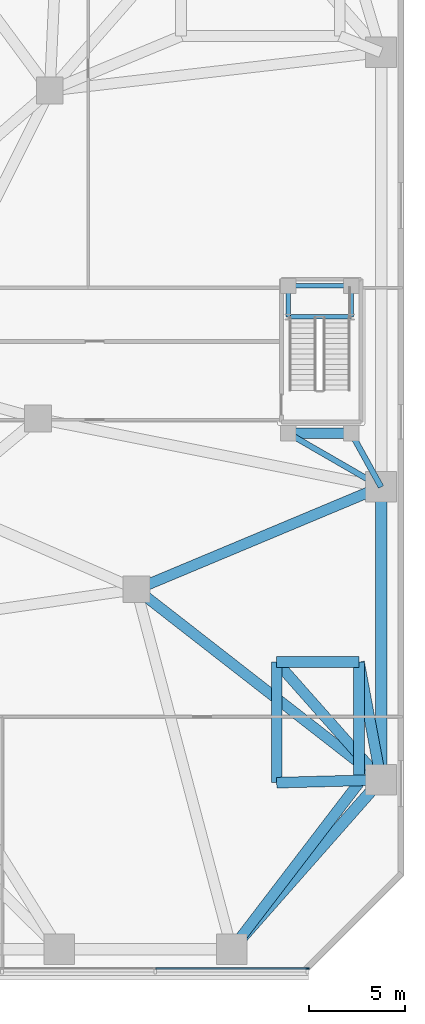
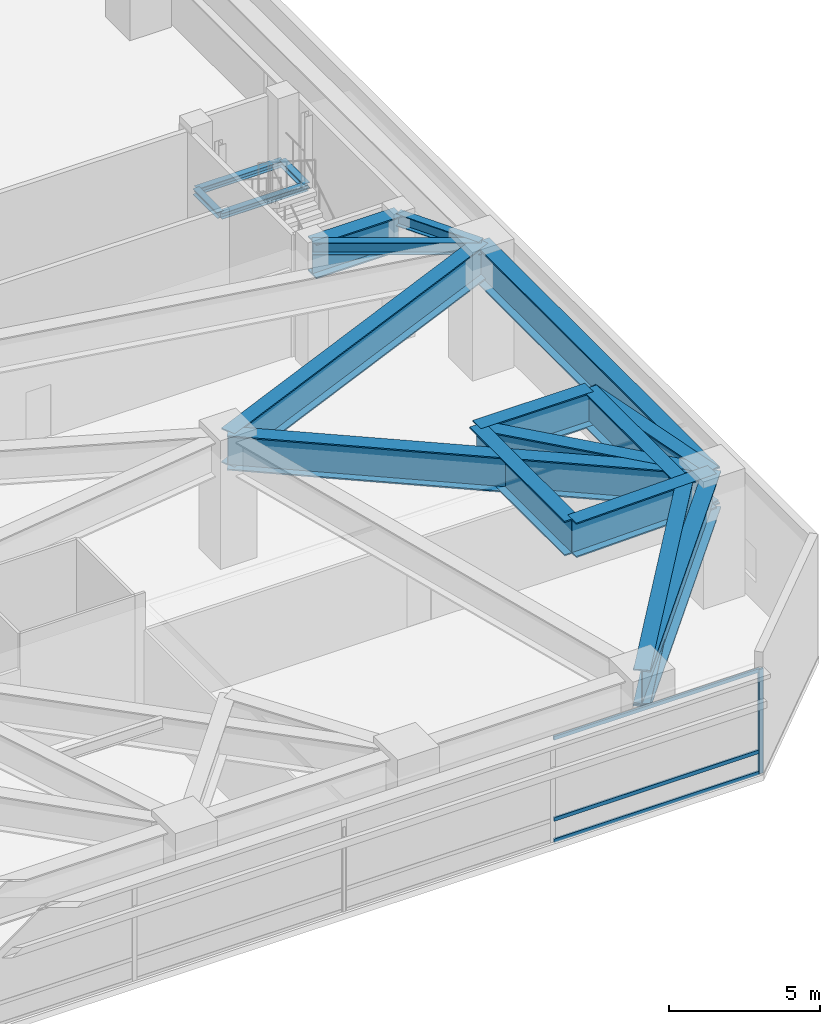
# One storey, part 12 of 27: 18 beams, 4 members, 1 element without a shape of its own.
"""IFC4 building model written with IfcOpenShell, lengths in metres."""

from ifc_helpers import new_model, si_unit, direction, frame, origin, origin_2d, place, context, subcontext, project, spatial, rectangle, i_section, extrude, material, layer, layer_set, material_profile, profile_set, type_object, element, aggregate, save


model = new_model("IFC4")

# Units and contexts
model_context = context("Model", 3, precision=1e-05, world=origin(), true_north=direction((0.0, 1.0)))
body_context = subcontext(model_context, "Body", "Model", "MODEL_VIEW")
ifc_project = project(units=[si_unit("LENGTHUNIT", "METRE"), si_unit("AREAUNIT", "SQUARE_METRE"), si_unit("VOLUMEUNIT", "CUBIC_METRE"), si_unit("PLANEANGLEUNIT", "RADIAN"), si_unit("MASSUNIT", "GRAM", prefix="KILO")], contexts=[model_context])

# Site, building, storey
site_placement = place(None, origin())
site = spatial("IfcSite", under=ifc_project, at=site_placement, CompositionType="ELEMENT")
building_placement = place(site_placement, origin())
building = spatial("IfcBuilding", under=site, at=building_placement, Name="Terralouvre Media Tower", CompositionType="ELEMENT")
storey_placement = place(building_placement, frame((0.0, 0.0, 20.800048828125)))
storey = spatial("IfcBuildingStorey", under=building, at=storey_placement, Name="L04", CompositionType="ELEMENT", Elevation=20.800048828125)

# Curtain wall, members
ifc_material_1 = material(Name="Low-iron laminated double glazing with solar-control coating", Category="glass")
ifc_layer = layer(ifc_material_1, 0.1650390625, Name="Podium Broadcast Gallery Glazing CW-01")
ifc_layer_set = layer_set([ifc_layer], Name="Low-iron laminated double glazing with solar-control coating")
curtain_wall_type = type_object("IfcCurtainWallType", Name="Podium Broadcast Gallery Glazing CW-01", PredefinedType="NOTDEFINED", material=ifc_layer_set)
curtain_wall_placement = place(storey_placement, origin())
curtain_wall = element("IfcCurtainWall", 1, at=curtain_wall_placement, inside=storey, type_object=curtain_wall_type, Name="L04 Podium Curtain Wall F0", PredefinedType="NOTDEFINED")
ifc_material_2 = material(Name="Anodised extruded aluminium 6063-T6", Category="aluminium")
ifc_material_profile_1 = material_profile(ifc_material_2, rectangle(XDim=0.074951171875, YDim=0.14990234375, at=origin_2d()), Name="ALU 75x150")
ifc_profile_set_1 = profile_set([ifc_material_profile_1], Name="Anodised extruded aluminium 6063-T6")
member_type_1 = type_object("IfcMemberType", Name="Curtain-Wall Horizontal Transom TR-150", PredefinedType="USERDEFINED", material=ifc_profile_set_1)
member_1_placement = place(storey_placement, frame((24.03759765625, -24.360107421875, 0.037353515625), z_axis=(1.0, 0.0, 0.0), x_axis=(0.0, 1.0, 0.0)))
member_1 = element("IfcMember", 2, at=member_1_placement, type_object=member_type_1, Name="CW-01 transom 8.1", ObjectType="TRANSOM", PredefinedType="USERDEFINED", context=body_context, shape_type="SweptSolid", body=[
    extrude(rectangle(XDim=0.074951171875, YDim=0.14990234375, at=origin_2d()), origin(), (0.0, 0.0, 1.0), 7.887451171875),
])
member_2_placement = place(storey_placement, frame((24.03759765625, -24.360107421875, 0.89990234375), z_axis=(1.0, 0.0, 0.0), x_axis=(0.0, 1.0, 0.0)))
member_2 = element("IfcMember", 3, at=member_2_placement, type_object=member_type_1, Name="CW-01 transom 8.2", ObjectType="TRANSOM", PredefinedType="USERDEFINED", context=body_context, shape_type="SweptSolid", body=[
    extrude(rectangle(XDim=0.074951171875, YDim=0.14990234375, at=origin_2d()), origin(), (0.0, 0.0, 1.0), 7.887451171875),
])
member_3_placement = place(storey_placement, frame((24.03759765625, -24.360107421875, 4.182373046875), z_axis=(1.0, 0.0, 0.0), x_axis=(0.0, 1.0, 0.0)))
member_3 = element("IfcMember", 4, at=member_3_placement, type_object=member_type_1, Name="CW-01 transom 8.3", ObjectType="TRANSOM", PredefinedType="USERDEFINED", context=body_context, shape_type="SweptSolid", body=[
    extrude(rectangle(XDim=0.074951171875, YDim=0.14990234375, at=origin_2d()), origin(), (0.0, 0.0, 1.0), 7.887451171875),
])
ifc_material_3 = material(Name="Anodised extruded aluminium 6063-T6", Category="aluminium")
ifc_material_profile_2 = material_profile(ifc_material_3, rectangle(XDim=0.074951171875, YDim=0.179931640625, at=origin_2d()), Name="ALU 75x180")
ifc_profile_set_2 = profile_set([ifc_material_profile_2], Name="Anodised extruded aluminium 6063-T6")
member_type_2 = type_object("IfcMemberType", Name="Curtain-Wall Vertical Mullion ML-180", PredefinedType="MULLION", material=ifc_profile_set_2)
member_4_placement = place(storey_placement, frame((31.96240234375, -24.360107421875, 0.0), z_axis=(0.0, 0.0, 1.0), x_axis=(0.0, 1.0, 0.0)))
member_4 = element("IfcMember", 5, at=member_4_placement, type_object=member_type_2, Name="CW-01 mullion 9", PredefinedType="MULLION", context=body_context, shape_type="SweptSolid", body=[
    extrude(rectangle(XDim=0.074951171875, YDim=0.179931640625, at=origin_2d()), origin(), (0.0, 0.0, 1.0), 4.219970703125),
])
aggregate(curtain_wall, [member_4, member_1, member_2, member_3])

# Beams
ifc_material_4 = material(Name="Structural steel S355J2", Category="steel")
ifc_material_profile_3 = material_profile(ifc_material_4, i_section(OverallWidth=0.239990234375, OverallDepth=0.239990234375, WebThickness=0.010009765625, FlangeThickness=0.01708984375, at=origin_2d()), Name="HEB 240")
ifc_profile_set_3 = profile_set([ifc_material_profile_3], Name="Structural steel S355J2")
beam_type_1 = type_object("IfcBeamType", Name="Opening Lintel Beam LN-240H (HEB 240)", PredefinedType="LINTEL", material=ifc_profile_set_3)
for number, where, z_axis, x_axis, name in (
    (6, (30.949951171875, 9.679931640625, 2.280029296875), (0.0, 1.0, 0.0), (-1.0, 0.0, 0.0), "L04 ST-04 Intermediate Landing Support Beam 1W"),
    (7, (34.25, 9.679931640625, 2.280029296875), (0.0, 1.0, 0.0), (-1.0, 0.0, 0.0), "L04 ST-04 Intermediate Landing Support Beam 1E"),
):
    element("IfcBeam", number, at=place(storey_placement, frame(where, z_axis=z_axis, x_axis=x_axis)), inside=storey, type_object=beam_type_1, Name=name, PredefinedType="LINTEL", context=body_context, shape_type="SweptSolid", body=[
        extrude(i_section(OverallWidth=0.239990234375, OverallDepth=0.239990234375, WebThickness=0.010009765625, FlangeThickness=0.01708984375, at=origin_2d()), origin(), (0.0, 0.0, 1.0), 1.6201171875),
    ])
for number, where, z_axis, x_axis, name in (
    (8, (30.949951171875, 9.679931640625, 2.280029296875), (1.0, 0.0, 0.0), (0.0, 1.0, 0.0), "L04 ST-04 Intermediate Landing Support Beam 1S"),
    (9, (30.949951171875, 11.300048828125, 2.280029296875), (1.0, 0.0, 0.0), (0.0, 1.0, 0.0), "L04 ST-04 Intermediate Landing Support Beam 1X"),
):
    element("IfcBeam", number, at=place(storey_placement, frame(where, z_axis=z_axis, x_axis=x_axis)), inside=storey, type_object=beam_type_1, Name=name, PredefinedType="LINTEL", context=body_context, shape_type="SweptSolid", body=[
        extrude(i_section(OverallWidth=0.239990234375, OverallDepth=0.239990234375, WebThickness=0.010009765625, FlangeThickness=0.01708984375, at=origin_2d()), origin(), (0.0, 0.0, 1.0), 3.300048828125),
    ])
ifc_material_5 = material(Name="Structural steel S355J2", Category="steel")
ifc_material_profile_4 = material_profile(ifc_material_5, i_section(OverallWidth=0.300048828125, OverallDepth=0.5, WebThickness=0.014404296875, FlangeThickness=0.028076171875, at=origin_2d()), Name="HEB 500")
ifc_profile_set_4 = profile_set([ifc_material_profile_4], Name="Structural steel S355J2")
beam_type_2 = type_object("IfcBeamType", Name="Primary Floor Girder B-HEB500 (HEB 500)", PredefinedType="BEAM", material=ifc_profile_set_4)
beam_1_placement = place(storey_placement, frame((30.949951171875, 3.60009765625, 4.68994140625), z_axis=(0.866037493094, -0.499979060117, 0.0), x_axis=(0.499979060117, 0.866037493094, 0.0)))
element("IfcBeam", 10, at=beam_1_placement, inside=storey, type_object=beam_type_2, Name="L04 Framing Beam BM-L04-PVTST41", PredefinedType="BEAM", context=body_context, shape_type="SweptSolid", body=[
    extrude(i_section(OverallWidth=0.300048828125, OverallDepth=0.5, WebThickness=0.014404296875, FlangeThickness=0.028076171875, at=origin_2d()), origin(), (0.0, 0.0, 1.0), 5.600341796875),
])
beam_2_placement = place(storey_placement, frame((34.25, 3.60009765625, 4.68994140625), z_axis=(0.484321096397, -0.874890322032, 0.0), x_axis=(0.874890322032, 0.484321096397, 0.0)))
element("IfcBeam", 11, at=beam_2_placement, inside=storey, type_object=beam_type_2, Name="L04 Framing Beam BM-L04-PVTST42", PredefinedType="BEAM", context=body_context, shape_type="SweptSolid", body=[
    extrude(i_section(OverallWidth=0.300048828125, OverallDepth=0.5, WebThickness=0.014404296875, FlangeThickness=0.028076171875, at=origin_2d()), origin(), (0.0, 0.0, 1.0), 3.200439453125),
])
ifc_material_6 = material(Name="Structural steel S460M", Category="steel")
ifc_material_profile_5 = material_profile(ifc_material_6, i_section(OverallWidth=0.56005859375, OverallDepth=1.39990234375, WebThickness=0.031982421875, FlangeThickness=0.050048828125, at=origin_2d()), Name="TG 1400x560")
ifc_profile_set_5 = profile_set([ifc_material_profile_5], Name="Structural steel S460M")
beam_type_3 = type_object("IfcBeamType", Name="Welded Transfer Girder TG-1400 (TG 1400x560)", PredefinedType="USERDEFINED", material=ifc_profile_set_5)
beam_3_placement = place(storey_placement, frame((30.949951171875, 3.60009765625, 4.239990234375), z_axis=(1.0, 0.0, 0.0), x_axis=(0.0, 1.0, 0.0)))
element("IfcBeam", 12, at=beam_3_placement, inside=storey, type_object=beam_type_3, Name="L04 Framing Beam BM-L04-PVST41", ObjectType="TRANSFER GIRDER", PredefinedType="USERDEFINED", context=body_context, shape_type="SweptSolid", body=[
    extrude(i_section(OverallWidth=0.56005859375, OverallDepth=1.39990234375, WebThickness=0.031982421875, FlangeThickness=0.050048828125, at=origin_2d()), origin(), (0.0, 0.0, 1.0), 3.300048828125),
])
beam_4_placement = place(storey_placement, frame((23.02490234375, -4.546630859375, 4.239990234375), z_axis=(0.922468147364, 0.386073201737, 0.0), x_axis=(-0.386073201737, 0.922468147364, 0.0)))
element("IfcBeam", 13, at=beam_4_placement, inside=storey, type_object=beam_type_3, Name="L04 Framing Beam BM-L04-PM21P1", ObjectType="TRANSFER GIRDER", PredefinedType="USERDEFINED", context=body_context, shape_type="SweptSolid", body=[
    extrude(i_section(OverallWidth=0.56005859375, OverallDepth=1.39990234375, WebThickness=0.031982421875, FlangeThickness=0.050048828125, at=origin_2d()), origin(), (0.0, 0.0, 1.0), 13.848876953125),
])
beam_5_placement = place(storey_placement, frame((23.02490234375, -4.546630859375, 4.239990234375), z_axis=(0.788838921833, -0.614599996259, 0.0), x_axis=(0.614599996259, 0.788838921833, 0.0)))
element("IfcBeam", 14, at=beam_5_placement, inside=storey, type_object=beam_type_3, Name="L04 Framing Beam BM-L04-RD08", ObjectType="TRANSFER GIRDER", PredefinedType="USERDEFINED", context=body_context, shape_type="SweptSolid", body=[
    extrude(i_section(OverallWidth=0.56005859375, OverallDepth=1.39990234375, WebThickness=0.031982421875, FlangeThickness=0.050048828125, at=origin_2d()), origin(), (0.0, 0.0, 1.0), 16.19482421875),
])
beam_6_placement = place(storey_placement, frame((30.35009765625, -14.64990234375, 4.239990234375), z_axis=(0.999621944733, 0.02749486512, 0.0), x_axis=(-0.02749486512, 0.999621944733, 0.0)))
element("IfcBeam", 15, at=beam_6_placement, inside=storey, type_object=beam_type_3, Name="L04 Framing Beam BM-L04-TR13S1", ObjectType="TRANSFER GIRDER", PredefinedType="USERDEFINED", context=body_context, shape_type="SweptSolid", body=[
    extrude(i_section(OverallWidth=0.56005859375, OverallDepth=1.39990234375, WebThickness=0.031982421875, FlangeThickness=0.050048828125, at=origin_2d()), origin(), (0.0, 0.0, 1.0), 5.451904296875),
])
beam_7_placement = place(storey_placement, frame((34.64990234375, -14.64990234375, 4.239990234375), z_axis=(-0.607266378093, -0.794498298323, 0.0), x_axis=(0.794498298323, -0.607266378093, 0.0)))
element("IfcBeam", 16, at=beam_7_placement, inside=storey, type_object=beam_type_3, Name="L04 Framing Beam BM-L04-TR14F1", ObjectType="TRANSFER GIRDER", PredefinedType="USERDEFINED", context=body_context, shape_type="SweptSolid", body=[
    extrude(i_section(OverallWidth=0.56005859375, OverallDepth=1.39990234375, WebThickness=0.031982421875, FlangeThickness=0.050048828125, at=origin_2d()), origin(), (0.0, 0.0, 1.0), 10.950439453125),
])
beam_8_placement = place(storey_placement, frame((34.64990234375, -8.35009765625, 4.239990234375), z_axis=(0.183831445314, -0.982957781247, 0.0), x_axis=(0.982957781247, 0.183831445314, 0.0)))
element("IfcBeam", 17, at=beam_8_placement, inside=storey, type_object=beam_type_3, Name="L04 Framing Beam BM-L04-TR15S1", ObjectType="TRANSFER GIRDER", PredefinedType="USERDEFINED", context=body_context, shape_type="SweptSolid", body=[
    extrude(i_section(OverallWidth=0.56005859375, OverallDepth=1.39990234375, WebThickness=0.031982421875, FlangeThickness=0.050048828125, at=origin_2d()), origin(), (0.0, 0.0, 1.0), 6.256591796875),
])
beam_9_placement = place(storey_placement, frame((30.35009765625, -8.35009765625, 4.239990234375), z_axis=(0.663232636861, -0.748413301193, 0.0), x_axis=(0.748413301193, 0.663232636861, 0.0)))
element("IfcBeam", 18, at=beam_9_placement, inside=storey, type_object=beam_type_3, Name="L04 Framing Beam BM-L04-TR16F1", ObjectType="TRANSFER GIRDER", PredefinedType="USERDEFINED", context=body_context, shape_type="SweptSolid", body=[
    extrude(i_section(OverallWidth=0.56005859375, OverallDepth=1.39990234375, WebThickness=0.031982421875, FlangeThickness=0.050048828125, at=origin_2d()), origin(), (0.0, 0.0, 1.0), 8.21728515625),
])
beam_10_placement = place(storey_placement, frame((34.64990234375, -14.64990234375, 4.239990234375), z_axis=(0.0, 1.0, 0.0), x_axis=(-1.0, 0.0, 0.0)))
element("IfcBeam", 19, at=beam_10_placement, inside=storey, type_object=beam_type_3, Name="L04 Framing Beam BM-L04-PVR06", ObjectType="TRANSFER GIRDER", PredefinedType="USERDEFINED", context=body_context, shape_type="SweptSolid", body=[
    extrude(i_section(OverallWidth=0.56005859375, OverallDepth=1.39990234375, WebThickness=0.031982421875, FlangeThickness=0.050048828125, at=origin_2d()), origin(), (0.0, 0.0, 1.0), 6.2998046875),
])
beam_11_placement = place(storey_placement, frame((34.64990234375, -8.35009765625, 4.239990234375), z_axis=(-1.0, 0.0, 0.0), x_axis=(0.0, -1.0, 0.0)))
element("IfcBeam", 20, at=beam_11_placement, inside=storey, type_object=beam_type_3, Name="L04 Framing Beam BM-L04-PVR07", ObjectType="TRANSFER GIRDER", PredefinedType="USERDEFINED", context=body_context, shape_type="SweptSolid", body=[
    extrude(i_section(OverallWidth=0.56005859375, OverallDepth=1.39990234375, WebThickness=0.031982421875, FlangeThickness=0.050048828125, at=origin_2d()), origin(), (0.0, 0.0, 1.0), 4.2998046875),
])
beam_12_placement = place(storey_placement, frame((30.35009765625, -8.35009765625, 4.239990234375), z_axis=(0.0, -1.0, 0.0), x_axis=(1.0, 0.0, 0.0)))
element("IfcBeam", 21, at=beam_12_placement, inside=storey, type_object=beam_type_3, Name="L04 Framing Beam BM-L04-PVR08", ObjectType="TRANSFER GIRDER", PredefinedType="USERDEFINED", context=body_context, shape_type="SweptSolid", body=[
    extrude(i_section(OverallWidth=0.56005859375, OverallDepth=1.39990234375, WebThickness=0.031982421875, FlangeThickness=0.050048828125, at=origin_2d()), origin(), (0.0, 0.0, 1.0), 6.2998046875),
])
ifc_material_7 = material(Name="Structural steel S460M", Category="steel")
ifc_material_profile_6 = material_profile(ifc_material_7, i_section(OverallWidth=0.60009765625, OverallDepth=1.5, WebThickness=0.033935546875, FlangeThickness=0.054931640625, at=origin_2d()), Name="PG 1500x600")
ifc_profile_set_6 = profile_set([ifc_material_profile_6], Name="Structural steel S460M")
beam_type_4 = type_object("IfcBeamType", Name="Welded Transfer Girder TG-1500 (PG 1500x600)", PredefinedType="USERDEFINED", material=ifc_profile_set_6)
beam_13_placement = place(storey_placement, frame((28.0, -23.35009765625, 4.18994140625), z_axis=(0.661199207896, 0.75021037548, 0.0), x_axis=(-0.75021037548, 0.661199207896, 0.0)))
element("IfcBeam", 22, at=beam_13_placement, inside=storey, type_object=beam_type_4, Name="L04 Framing Beam BM-L04-PR07", ObjectType="TRANSFER GIRDER", PredefinedType="USERDEFINED", context=body_context, shape_type="SweptSolid", body=[
    extrude(i_section(OverallWidth=0.60009765625, OverallDepth=1.5, WebThickness=0.033935546875, FlangeThickness=0.054931640625, at=origin_2d()), origin(), (0.0, 0.0, 1.0), 11.796875),
])
beam_14_placement = place(storey_placement, frame((35.800048828125, -14.5, 4.18994140625), z_axis=(0.0, 1.0, 0.0), x_axis=(-1.0, 0.0, 0.0)))
element("IfcBeam", 23, at=beam_14_placement, inside=storey, type_object=beam_type_4, Name="L04 Framing Beam BM-L04-PR08", ObjectType="TRANSFER GIRDER", PredefinedType="USERDEFINED", context=body_context, shape_type="SweptSolid", body=[
    extrude(i_section(OverallWidth=0.60009765625, OverallDepth=1.5, WebThickness=0.033935546875, FlangeThickness=0.054931640625, at=origin_2d()), origin(), (0.0, 0.0, 1.0), 15.300048828125),
])

save(model, "model.ifc")
